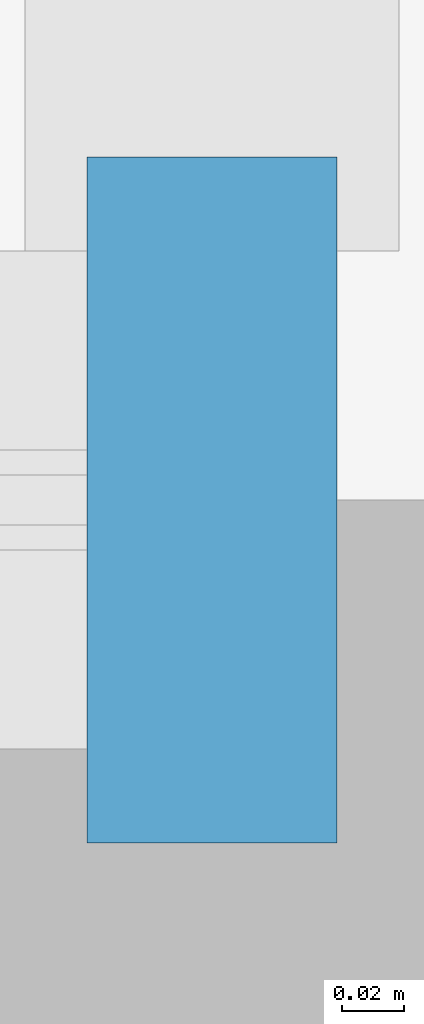
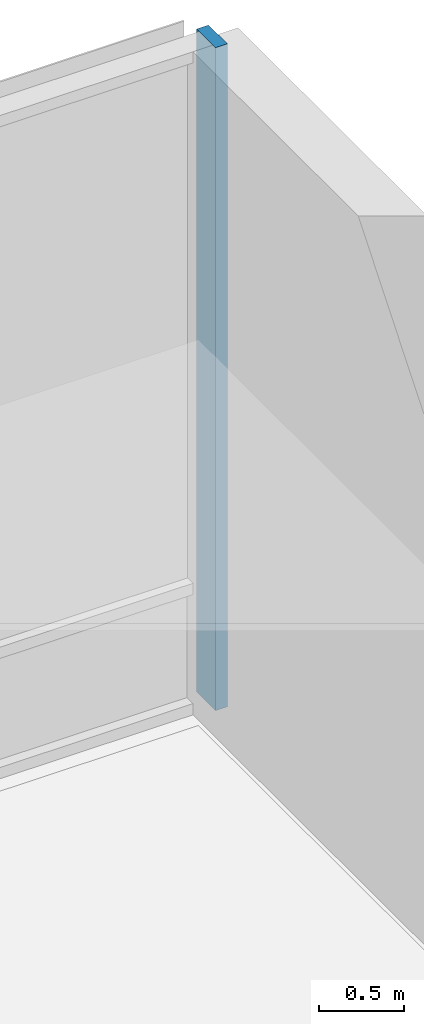
# One storey, part 9 of 24: 1 member, 1 element without a shape of its own.
"""IFC4 building model written with IfcOpenShell, lengths in metres."""

from ifc_helpers import new_model, si_unit, direction, frame, origin, origin_2d, place, context, subcontext, project, spatial, rectangle, extrude, material, layer, layer_set, type_object, element, aggregate, save


model = new_model("IFC4")

# Units and contexts
model_context = context("Model", 3, precision=1e-05, world=origin(), true_north=direction((0.0, 1.0)))
body_context = subcontext(model_context, "Body", "Model", "MODEL_VIEW")
ifc_project = project(units=[si_unit("LENGTHUNIT", "METRE"), si_unit("AREAUNIT", "SQUARE_METRE"), si_unit("VOLUMEUNIT", "CUBIC_METRE"), si_unit("PLANEANGLEUNIT", "RADIAN"), si_unit("MASSUNIT", "GRAM", prefix="KILO")], contexts=[model_context])

# Site, building, storey
site_placement = place(None, origin())
site = spatial("IfcSite", under=ifc_project, at=site_placement, CompositionType="ELEMENT")
building_placement = place(site_placement, origin())
building = spatial("IfcBuilding", under=site, at=building_placement, Name="Tharavind Bronze Gate", CompositionType="ELEMENT")
storey_placement = place(building_placement, frame((0.0, 0.0, 21.5)))
storey = spatial("IfcBuildingStorey", under=building, at=storey_placement, Name="L04", CompositionType="ELEMENT", Elevation=21.5)

# Curtain wall, member
ifc_material = material(Name="Anodised Bronze Aluminium", Category="aluminium")
ifc_layer = layer(ifc_material, 0.219970703125)
ifc_layer_set = layer_set([ifc_layer], Name="Anodised Bronze Aluminium")
curtain_wall_type = type_object("IfcCurtainWallType", Name="UNITISED CURTAIN WALL PODIUM", PredefinedType="USERDEFINED", material=ifc_layer_set)
curtain_wall_placement = place(storey_placement, origin())
curtain_wall = element("IfcCurtainWall", 1, at=curtain_wall_placement, inside=storey, type_object=curtain_wall_type, Name="L04 unitised curtain wall podium CW-L04-S2", ObjectType="UNITISED CURTAIN WALL", PredefinedType="USERDEFINED")
member_type = type_object("IfcMemberType", Name="CURTAIN WALL MULLION 80X220", PredefinedType="MULLION", material=ifc_material)
member_placement = place(storey_placement, frame((33.820068359375, 26.6201171875, 0.0), z_axis=(0.0, 0.0, 1.0), x_axis=(-1.0, 0.0, 0.0)))
member = element("IfcMember", 2, at=member_placement, type_object=member_type, Name="CW-L04-S2 mullion 1", PredefinedType="MULLION", context=body_context, shape_type="SweptSolid", body=[
    extrude(rectangle(XDim=0.080078125, YDim=0.219970703125, at=origin_2d()), origin(), (0.0, 0.0, 1.0), 4.739990234375),
])
aggregate(curtain_wall, [member])

save(model, "model.ifc")
